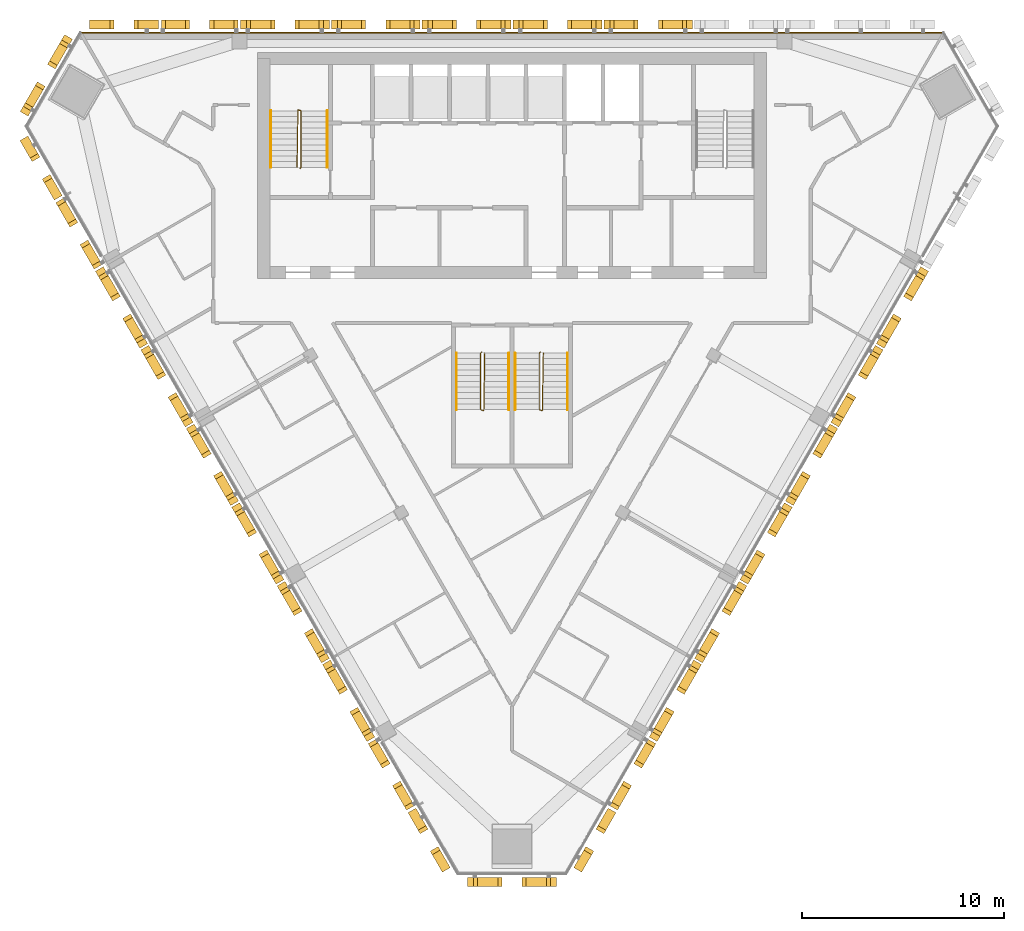
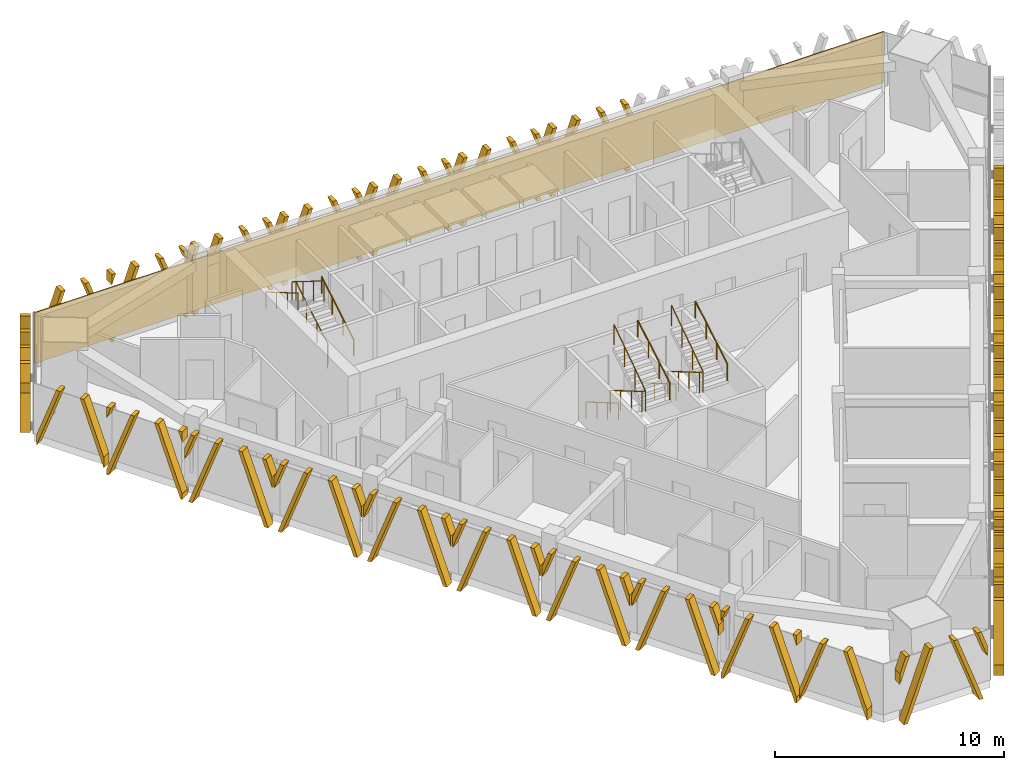
# One storey, part 12 of 14: 27 shading devices, 9 railings, 1 covering.
"""IFC4 building model written with IfcOpenShell, lengths in metres."""

from ifc_helpers import new_model, si_unit, direction, frame, frame_2d, origin, origin_2d, place, context, subcontext, project, spatial, polyline, rectangle, circle, outline, extrude, source, transform, mapped, material, layer, layer_set, type_object, element, save


model = new_model("IFC4")

# Units and contexts
model_context = context("Model", 3, precision=1e-05, world=origin(), true_north=direction((0.0, 1.0)))
body_context = subcontext(model_context, "Body", "Model", "MODEL_VIEW")
ifc_project = project(units=[si_unit("LENGTHUNIT", "METRE"), si_unit("AREAUNIT", "SQUARE_METRE"), si_unit("VOLUMEUNIT", "CUBIC_METRE"), si_unit("PLANEANGLEUNIT", "RADIAN"), si_unit("MASSUNIT", "GRAM", prefix="KILO")], contexts=[model_context])

# Site, building, storey
site_placement = place(None, origin())
site = spatial("IfcSite", under=ifc_project, at=site_placement, CompositionType="ELEMENT")
building_placement = place(site_placement, origin())
building = spatial("IfcBuilding", under=site, at=building_placement, Name="Altiplano Prism Tower", CompositionType="ELEMENT")
storey_placement = place(building_placement, frame((0.0, 0.0, 242.800048828125)))
storey = spatial("IfcBuildingStorey", under=building, at=storey_placement, Name="L62", CompositionType="ELEMENT", Elevation=242.800048828125)

# Railings
ifc_material_1 = material(Name="Steel S355", Category="steel")
railing_type_1 = type_object("IfcRailingType", Name="Stair guard 1100", PredefinedType="GUARDRAIL", material=ifc_material_1)
railing_1_placement = place(storey_placement, frame((74.5, 98.25, 0.0)))
element("IfcRailing", 1, at=railing_1_placement, inside=storey, type_object=railing_type_1, Name="L62 ST1 stair guard 1", PredefinedType="GUARDRAIL", context=body_context, shape_type="SweptSolid", body=[
    extrude(circle(Radius=0.02392578125, at=origin_2d()), frame((0.0, 0.0, 1.076171875), z_axis=(0.280808744504, 0.280808744504, 0.917765164963), x_axis=(-0.707106781187, 0.707106781187, 0.0)), (0.0, 0.0, 1.0), 0.17822265625),
    extrude(circle(Radius=0.02392578125, at=origin_2d()), frame((0.050048828125, 0.050048828125, 1.23974609375), z_axis=(0.0, 0.863360870873, 0.504586966384), x_axis=(-1.0, 0.0, 0.0)), (0.0, 0.0, 1.0), 3.2431640625),
    extrude(circle(Radius=0.02392578125, at=origin_2d()), frame((0.050048828125, 2.85009765625, 2.8759765625), z_axis=(-0.949145278916, 0.314838433982, 0.0), x_axis=(-0.314838433982, -0.949145278916, 0.0)), (0.0, 0.0, 1.0), 0.158203125),
    extrude(circle(Radius=0.02392578125, at=origin_2d()), frame((-0.10009765625, 2.89990234375, 2.8759765625), z_axis=(-0.014774583964, -0.845410385345, 0.533912906773), x_axis=(0.999847325713, -0.01747355902, 0.0)), (0.0, 0.0, 1.0), 3.370849609375),
    extrude(circle(Radius=0.02099609375, at=origin_2d()), origin(), (0.0, 0.0, 1.0), 1.052001953125),
    extrude(circle(Radius=0.02099609375, at=origin_2d()), frame((0.050048828125, 0.050048828125, 0.16357421875)), (0.0, 0.0, 1.0), 1.052001953125),
    extrude(circle(Radius=0.02099609375, at=origin_2d()), frame((0.050048828125, 0.9833984375, 0.708984375)), (0.0, 0.0, 1.0), 1.052001953125),
    extrude(circle(Radius=0.02099609375, at=origin_2d()), frame((0.050048828125, 1.916748046875, 1.254638671875)), (0.0, 0.0, 1.0), 1.052001953125),
    extrude(circle(Radius=0.02099609375, at=origin_2d()), frame((0.050048828125, 2.85009765625, 1.800048828125)), (0.0, 0.0, 1.0), 1.052001953125),
    extrude(circle(Radius=0.02099609375, at=origin_2d()), frame((-0.10009765625, 2.89990234375, 1.800048828125)), (0.0, 0.0, 1.0), 1.052001953125),
    extrude(circle(Radius=0.02099609375, at=origin_2d()), frame((-0.11669921875, 1.949951171875, 2.39990234375)), (0.0, 0.0, 1.0), 1.052001953125),
    extrude(circle(Radius=0.02099609375, at=origin_2d()), frame((-0.13330078125, 1.0, 3.0)), (0.0, 0.0, 1.0), 1.052001953125),
    extrude(circle(Radius=0.02099609375, at=origin_2d()), frame((-0.14990234375, 0.050048828125, 3.599853515625)), (0.0, 0.0, 1.0), 1.052001953125),
])
railing_2_placement = place(storey_placement, frame((83.5, 89.14990234375, 0.0)))
element("IfcRailing", 2, at=railing_2_placement, inside=storey, type_object=railing_type_1, Name="L62 ST3A stair guard 1", PredefinedType="GUARDRAIL", context=body_context, shape_type="SweptSolid", body=[
    extrude(circle(Radius=0.02392578125, at=origin_2d()), frame((0.0, 0.0, 1.076171875), z_axis=(-0.280916556609, -0.279546231943, 0.91811752648), x_axis=(0.705375805398, -0.708833529934, 0.0)), (0.0, 0.0, 1.0), 0.17822265625),
    extrude(circle(Radius=0.02392578125, at=origin_2d()), frame((-0.050048828125, -0.0498046875, 1.23974609375), z_axis=(0.0, -0.863360870873, 0.504586966384), x_axis=(1.0, 0.0, 0.0)), (0.0, 0.0, 1.0), 3.2431640625),
    extrude(circle(Radius=0.02392578125, at=origin_2d()), frame((-0.050048828125, -2.849853515625, 2.8759765625), z_axis=(0.948683298051, -0.316227766017, 0.0), x_axis=(0.316227766017, 0.948683298051, 0.0)), (0.0, 0.0, 1.0), 0.158203125),
    extrude(circle(Radius=0.02392578125, at=origin_2d()), frame((0.10009765625, -2.89990234375, 2.8759765625), z_axis=(0.014773679385, 0.845431044782, 0.53388021776), x_axis=(-0.999847351862, 0.017472062685, 0.0)), (0.0, 0.0, 1.0), 3.37109375),
    extrude(circle(Radius=0.02099609375, at=origin_2d()), origin(), (0.0, 0.0, 1.0), 1.052001953125),
    extrude(circle(Radius=0.02099609375, at=origin_2d()), frame((-0.050048828125, -0.0498046875, 0.16357421875)), (0.0, 0.0, 1.0), 1.052001953125),
    extrude(circle(Radius=0.02099609375, at=origin_2d()), frame((-0.050048828125, -0.983154296875, 0.708984375)), (0.0, 0.0, 1.0), 1.052001953125),
    extrude(circle(Radius=0.02099609375, at=origin_2d()), frame((-0.050048828125, -1.91650390625, 1.254638671875)), (0.0, 0.0, 1.0), 1.052001953125),
    extrude(circle(Radius=0.02099609375, at=origin_2d()), frame((-0.050048828125, -2.849853515625, 1.800048828125)), (0.0, 0.0, 1.0), 1.052001953125),
    extrude(circle(Radius=0.02099609375, at=origin_2d()), frame((0.10009765625, -2.89990234375, 1.800048828125)), (0.0, 0.0, 1.0), 1.052001953125),
    extrude(circle(Radius=0.02099609375, at=origin_2d()), frame((0.11669921875, -1.949951171875, 2.39990234375)), (0.0, 0.0, 1.0), 1.052001953125),
    extrude(circle(Radius=0.02099609375, at=origin_2d()), frame((0.13330078125, -0.999755859375, 3.0)), (0.0, 0.0, 1.0), 1.052001953125),
    extrude(circle(Radius=0.02099609375, at=origin_2d()), frame((0.14990234375, -0.0498046875, 3.599853515625)), (0.0, 0.0, 1.0), 1.052001953125),
])
railing_3_placement = place(storey_placement, frame((86.39990234375, 89.14990234375, 0.0)))
element("IfcRailing", 3, at=railing_3_placement, inside=storey, type_object=railing_type_1, Name="L62 ST3B stair guard 1", PredefinedType="GUARDRAIL", context=body_context, shape_type="SweptSolid", body=[
    extrude(circle(Radius=0.02392578125, at=origin_2d()), frame((0.0, 0.0, 1.076171875), z_axis=(-0.279653641804, -0.279653641804, 0.918470294159), x_axis=(0.707106781187, -0.707106781187, 0.0)), (0.0, 0.0, 1.0), 0.177978515625),
    extrude(circle(Radius=0.02392578125, at=origin_2d()), frame((-0.0498046875, -0.0498046875, 1.23974609375), z_axis=(0.0, -0.863360870873, 0.504586966384), x_axis=(1.0, 0.0, 0.0)), (0.0, 0.0, 1.0), 3.2431640625),
    extrude(circle(Radius=0.02392578125, at=origin_2d()), frame((-0.0498046875, -2.849853515625, 2.8759765625), z_axis=(0.948528701346, -0.316691178788, 0.0), x_axis=(0.316691178788, 0.948528701346, 0.0)), (0.0, 0.0, 1.0), 0.157958984375),
    extrude(circle(Radius=0.02392578125, at=origin_2d()), frame((0.10009765625, -2.89990234375, 2.8759765625), z_axis=(0.014846083459, 0.845430138032, 0.533879645158), x_axis=(-0.999845851991, 0.017557683712, 0.0)), (0.0, 0.0, 1.0), 3.37109375),
    extrude(circle(Radius=0.02099609375, at=origin_2d()), origin(), (0.0, 0.0, 1.0), 1.052001953125),
    extrude(circle(Radius=0.02099609375, at=origin_2d()), frame((-0.0498046875, -0.0498046875, 0.16357421875)), (0.0, 0.0, 1.0), 1.052001953125),
    extrude(circle(Radius=0.02099609375, at=origin_2d()), frame((-0.0498046875, -0.983154296875, 0.708984375)), (0.0, 0.0, 1.0), 1.052001953125),
    extrude(circle(Radius=0.02099609375, at=origin_2d()), frame((-0.0498046875, -1.91650390625, 1.254638671875)), (0.0, 0.0, 1.0), 1.052001953125),
    extrude(circle(Radius=0.02099609375, at=origin_2d()), frame((-0.0498046875, -2.849853515625, 1.800048828125)), (0.0, 0.0, 1.0), 1.052001953125),
    extrude(circle(Radius=0.02099609375, at=origin_2d()), frame((0.10009765625, -2.89990234375, 1.800048828125)), (0.0, 0.0, 1.0), 1.052001953125),
    extrude(circle(Radius=0.02099609375, at=origin_2d()), frame((0.11669921875, -1.949951171875, 2.39990234375)), (0.0, 0.0, 1.0), 1.052001953125),
    extrude(circle(Radius=0.02099609375, at=origin_2d()), frame((0.133544921875, -0.999755859375, 3.0)), (0.0, 0.0, 1.0), 1.052001953125),
    extrude(circle(Radius=0.02099609375, at=origin_2d()), frame((0.150146484375, -0.0498046875, 3.599853515625)), (0.0, 0.0, 1.0), 1.052001953125),
])
railing_type_2 = type_object("IfcRailingType", Name="Stair handrail 900", PredefinedType="HANDRAIL", material=ifc_material_1)
railing_4_placement = place(storey_placement, frame((75.85009765625, 98.300048828125, 0.16357421875)))
element("IfcRailing", 4, at=railing_4_placement, inside=storey, type_object=railing_type_2, Name="L62 ST1 stair handrail 1", PredefinedType="HANDRAIL", context=body_context, shape_type="SweptSolid", body=[
    extrude(circle(Radius=0.02392578125, at=origin_2d()), frame((0.0, 0.0, 0.8759765625), z_axis=(0.0, 0.863360870873, 0.504586966384), x_axis=(-1.0, 0.0, 0.0)), (0.0, 0.0, 1.0), 3.2431640625),
    extrude(circle(Radius=0.02099609375, at=origin_2d()), origin(), (0.0, 0.0, 1.0), 0.851806640625),
    extrude(circle(Radius=0.02099609375, at=origin_2d()), frame((0.0, 0.933349609375, 0.54541015625)), (0.0, 0.0, 1.0), 0.851806640625),
    extrude(circle(Radius=0.02099609375, at=origin_2d()), frame((0.0, 1.86669921875, 1.091064453125)), (0.0, 0.0, 1.0), 0.851806640625),
    extrude(circle(Radius=0.02099609375, at=origin_2d()), frame((0.0, 2.800048828125, 1.636474609375)), (0.0, 0.0, 1.0), 0.851806640625),
])
railing_5_placement = place(storey_placement, frame((73.050048828125, 101.10009765625, 1.963623046875)))
element("IfcRailing", 5, at=railing_5_placement, inside=storey, type_object=railing_type_2, Name="L62 ST1 stair handrail 2", PredefinedType="HANDRAIL", context=body_context, shape_type="SweptSolid", body=[
    extrude(circle(Radius=0.02392578125, at=origin_2d()), frame((0.0, 0.0, 0.8759765625), z_axis=(0.0, -0.863393664356, 0.504530851732), x_axis=(1.0, 0.0, 0.0)), (0.0, 0.0, 1.0), 3.2431640625),
    extrude(circle(Radius=0.02099609375, at=origin_2d()), origin(), (0.0, 0.0, 1.0), 0.851806640625),
    extrude(circle(Radius=0.02099609375, at=origin_2d()), frame((0.0, -0.933349609375, 0.54541015625)), (0.0, 0.0, 1.0), 0.851806640625),
    extrude(circle(Radius=0.02099609375, at=origin_2d()), frame((0.0, -1.86669921875, 1.0908203125)), (0.0, 0.0, 1.0), 0.851806640625),
    extrude(circle(Radius=0.02099609375, at=origin_2d()), frame((0.0, -2.800048828125, 1.63623046875)), (0.0, 0.0, 1.0), 0.851806640625),
])
railing_6_placement = place(storey_placement, frame((82.25, 89.10009765625, 0.16357421875)))
element("IfcRailing", 6, at=railing_6_placement, inside=storey, type_object=railing_type_2, Name="L62 ST3A stair handrail 1", PredefinedType="HANDRAIL", context=body_context, shape_type="SweptSolid", body=[
    extrude(circle(Radius=0.02392578125, at=origin_2d()), frame((0.0, 0.0, 0.8759765625), z_axis=(0.0, -0.863360870873, 0.504586966384), x_axis=(1.0, 0.0, 0.0)), (0.0, 0.0, 1.0), 3.2431640625),
    extrude(circle(Radius=0.02099609375, at=origin_2d()), origin(), (0.0, 0.0, 1.0), 0.851806640625),
    extrude(circle(Radius=0.02099609375, at=origin_2d()), frame((0.0, -0.933349609375, 0.54541015625)), (0.0, 0.0, 1.0), 0.851806640625),
    extrude(circle(Radius=0.02099609375, at=origin_2d()), frame((0.0, -1.86669921875, 1.091064453125)), (0.0, 0.0, 1.0), 0.851806640625),
    extrude(circle(Radius=0.02099609375, at=origin_2d()), frame((0.0, -2.800048828125, 1.636474609375)), (0.0, 0.0, 1.0), 0.851806640625),
])
railing_7_placement = place(storey_placement, frame((84.85009765625, 86.300048828125, 1.963623046875)))
element("IfcRailing", 7, at=railing_7_placement, inside=storey, type_object=railing_type_2, Name="L62 ST3A stair handrail 2", PredefinedType="HANDRAIL", context=body_context, shape_type="SweptSolid", body=[
    extrude(circle(Radius=0.02392578125, at=origin_2d()), frame((0.0, 0.0, 0.8759765625), z_axis=(0.0, 0.863393664356, 0.504530851732), x_axis=(-1.0, 0.0, 0.0)), (0.0, 0.0, 1.0), 3.2431640625),
    extrude(circle(Radius=0.02099609375, at=origin_2d()), origin(), (0.0, 0.0, 1.0), 0.851806640625),
    extrude(circle(Radius=0.02099609375, at=origin_2d()), frame((0.0, 0.933349609375, 0.54541015625)), (0.0, 0.0, 1.0), 0.851806640625),
    extrude(circle(Radius=0.02099609375, at=origin_2d()), frame((0.0, 1.86669921875, 1.0908203125)), (0.0, 0.0, 1.0), 0.851806640625),
    extrude(circle(Radius=0.02099609375, at=origin_2d()), frame((0.0, 2.800048828125, 1.63623046875)), (0.0, 0.0, 1.0), 0.851806640625),
])
railing_8_placement = place(storey_placement, frame((85.14990234375, 89.10009765625, 0.16357421875)))
element("IfcRailing", 8, at=railing_8_placement, inside=storey, type_object=railing_type_2, Name="L62 ST3B stair handrail 1", PredefinedType="HANDRAIL", context=body_context, shape_type="SweptSolid", body=[
    extrude(circle(Radius=0.02392578125, at=origin_2d()), frame((0.0, 0.0, 0.8759765625), z_axis=(0.0, -0.863360870873, 0.504586966384), x_axis=(1.0, 0.0, 0.0)), (0.0, 0.0, 1.0), 3.2431640625),
    extrude(circle(Radius=0.02099609375, at=origin_2d()), origin(), (0.0, 0.0, 1.0), 0.851806640625),
    extrude(circle(Radius=0.02099609375, at=origin_2d()), frame((0.0, -0.933349609375, 0.54541015625)), (0.0, 0.0, 1.0), 0.851806640625),
    extrude(circle(Radius=0.02099609375, at=origin_2d()), frame((0.0, -1.86669921875, 1.091064453125)), (0.0, 0.0, 1.0), 0.851806640625),
    extrude(circle(Radius=0.02099609375, at=origin_2d()), frame((0.0, -2.800048828125, 1.636474609375)), (0.0, 0.0, 1.0), 0.851806640625),
])
railing_9_placement = place(storey_placement, frame((87.75, 86.300048828125, 1.963623046875)))
element("IfcRailing", 9, at=railing_9_placement, inside=storey, type_object=railing_type_2, Name="L62 ST3B stair handrail 2", PredefinedType="HANDRAIL", context=body_context, shape_type="SweptSolid", body=[
    extrude(circle(Radius=0.02392578125, at=origin_2d()), frame((0.0, 0.0, 0.8759765625), z_axis=(0.0, 0.863393664356, 0.504530851732), x_axis=(-1.0, 0.0, 0.0)), (0.0, 0.0, 1.0), 3.2431640625),
    extrude(circle(Radius=0.02099609375, at=origin_2d()), origin(), (0.0, 0.0, 1.0), 0.851806640625),
    extrude(circle(Radius=0.02099609375, at=origin_2d()), frame((0.0, 0.933349609375, 0.54541015625)), (0.0, 0.0, 1.0), 0.851806640625),
    extrude(circle(Radius=0.02099609375, at=origin_2d()), frame((0.0, 1.86669921875, 1.0908203125)), (0.0, 0.0, 1.0), 0.851806640625),
    extrude(circle(Radius=0.02099609375, at=origin_2d()), frame((0.0, 2.800048828125, 1.63623046875)), (0.0, 0.0, 1.0), 0.851806640625),
])

# Covering
ifc_material_2 = material(Name="Warm limestone cast stone", Category="masonry")
ifc_layer = layer(ifc_material_2, 0.06005859375)
ifc_layer_set = layer_set([ifc_layer], Name="Warm limestone cast stone")
covering_type = type_object("IfcCoveringType", Name="Stone cladding 60", PredefinedType="CLADDING", material=ifc_layer_set)
covering_placement = place(storey_placement, frame((63.602783203125, 104.969970703125, 0.0), z_axis=(0.0, 0.0, 1.0), x_axis=(1.0, 0.0, 0.0)))
element("IfcCovering", 10, at=covering_placement, inside=storey, type_object=covering_type, Name="Stone cladding north face L62", PredefinedType="CLADDING", context=body_context, shape_type="SweptSolid", body=[
    extrude(rectangle(XDim=42.79443359375, YDim=0.06005859375, at=frame_2d((21.397216796875, 0.0))), origin(), (0.0, 0.0, 1.0), 2.699951171875),
])

# Shading devices
shading_device_type_1 = type_object("IfcShadingDeviceType", Name="Stone fin panel, standard unit", PredefinedType="USERDEFINED", material=ifc_material_2)
shared_shape_1 = source(origin(), body_context, "Body", "SweptSolid", [
    extrude(outline(polyline([(-2.199951171875, 2.226318359375), (-1.699951171875, 3.60009765625), (-1.89990234375, 3.60009765625), (-2.199951171875, 2.77587890625), (-2.199951171875, 2.226318359375)])), frame((0.0, -0.14990234375, 0.0), z_axis=(0.0, -1.0, 0.0), x_axis=(1.0, 0.0, 0.0)), (0.0, 0.0, 1.0), 0.4501953125),
    extrude(outline(polyline([(-2.01025390625, 0.0), (-1.810302734375, 0.0), (-0.5, 3.60009765625), (-0.699951171875, 3.60009765625), (-2.01025390625, 0.0)])), frame((0.0, -0.14990234375, 0.0), z_axis=(0.0, -1.0, 0.0), x_axis=(1.0, 0.0, 0.0)), (0.0, 0.0, 1.0), 0.4501953125),
    extrude(outline(polyline([(1.810302734375, 0.0), (2.01025390625, 0.0), (0.699951171875, 3.60009765625), (0.5, 3.60009765625), (1.810302734375, 0.0)])), frame((0.0, -0.14990234375, 0.0), z_axis=(0.0, -1.0, 0.0), x_axis=(1.0, 0.0, 0.0)), (0.0, 0.0, 1.0), 0.4501953125),
    extrude(outline(polyline([(2.199951171875, 2.77587890625), (1.89990234375, 3.60009765625), (1.699951171875, 3.60009765625), (2.199951171875, 2.226318359375), (2.199951171875, 2.77587890625)])), frame((0.0, -0.14990234375, 0.0), z_axis=(0.0, -1.0, 0.0), x_axis=(1.0, 0.0, 0.0)), (0.0, 0.0, 1.0), 0.4501953125),
])
shading_device_1_placement = place(storey_placement, origin())
element("IfcShadingDevice", 11, at=shading_device_1_placement, inside=storey, type_object=shading_device_type_1, Name="Fin L62 north face 4", ObjectType="FIN", PredefinedType="USERDEFINED", context=body_context, shape_type="MappedRepresentation", body=[
    mapped(shared_shape_1, transform((91.75, 105.0, -0.400146484375), x_axis=(-1.0, 0.0, 0.0), y_axis=(0.0, -1.0, 0.0), z_axis=(0.0, 0.0, 1.0))),
])
shading_device_2_placement = place(storey_placement, origin())
element("IfcShadingDevice", 12, at=shading_device_2_placement, inside=storey, type_object=shading_device_type_1, Name="Fin L62 north face 5", ObjectType="FIN", PredefinedType="USERDEFINED", context=body_context, shape_type="MappedRepresentation", body=[
    mapped(shared_shape_1, transform((87.25, 105.0, -0.400146484375), x_axis=(-1.0, 0.0, 0.0), y_axis=(0.0, -1.0, 0.0), z_axis=(0.0, 0.0, 1.0))),
])
shading_device_3_placement = place(storey_placement, origin())
element("IfcShadingDevice", 13, at=shading_device_3_placement, inside=storey, type_object=shading_device_type_1, Name="Fin L62 north face 6", ObjectType="FIN", PredefinedType="USERDEFINED", context=body_context, shape_type="MappedRepresentation", body=[
    mapped(shared_shape_1, transform((82.75, 105.0, -0.400146484375), x_axis=(-1.0, 0.0, 0.0), y_axis=(0.0, -1.0, 0.0), z_axis=(0.0, 0.0, 1.0))),
])
shading_device_4_placement = place(storey_placement, origin())
element("IfcShadingDevice", 14, at=shading_device_4_placement, inside=storey, type_object=shading_device_type_1, Name="Fin L62 north face 7", ObjectType="FIN", PredefinedType="USERDEFINED", context=body_context, shape_type="MappedRepresentation", body=[
    mapped(shared_shape_1, transform((78.25, 105.0, -0.400146484375), x_axis=(-1.0, 0.0, 0.0), y_axis=(0.0, -1.0, 0.0), z_axis=(0.0, 0.0, 1.0))),
])
shading_device_5_placement = place(storey_placement, origin())
element("IfcShadingDevice", 15, at=shading_device_5_placement, inside=storey, type_object=shading_device_type_1, Name="Fin L62 north face 8", ObjectType="FIN", PredefinedType="USERDEFINED", context=body_context, shape_type="MappedRepresentation", body=[
    mapped(shared_shape_1, transform((73.75, 105.0, -0.400146484375), x_axis=(-1.0, 0.0, 0.0), y_axis=(0.0, -1.0, 0.0), z_axis=(0.0, 0.0, 1.0))),
])
shading_device_type_2 = type_object("IfcShadingDeviceType", Name="Stone fin panel, chamfer unit", PredefinedType="USERDEFINED", material=ifc_material_2)
shading_device_6_placement = place(storey_placement, origin())
element("IfcShadingDevice", 16, at=shading_device_6_placement, inside=storey, type_object=shading_device_type_2, Name="Fin L62 north-west chamfer 1", ObjectType="FIN", PredefinedType="USERDEFINED", context=body_context, shape_type="MappedRepresentation", body=[
    mapped(shared_shape_1, transform((62.25634765625, 102.667724609375, -0.400146484375), x_axis=(-0.500000014304, -0.866025395526, 0.0), y_axis=(0.866025395526, -0.500000014304, 0.0), z_axis=(0.0, 0.0, 1.0))),
])
shading_device_7_placement = place(storey_placement, origin())
element("IfcShadingDevice", 17, at=shading_device_7_placement, inside=storey, type_object=shading_device_type_1, Name="Fin L62 south-west face 3", ObjectType="FIN", PredefinedType="USERDEFINED", context=body_context, shape_type="MappedRepresentation", body=[
    mapped(shared_shape_1, transform((65.9833984375, 91.5478515625, -0.400146484375), x_axis=(0.500000003773, -0.866025401606, 0.0), y_axis=(0.866025401606, 0.500000003773, 0.0), z_axis=(0.0, 0.0, 1.0))),
])
shading_device_8_placement = place(storey_placement, origin())
element("IfcShadingDevice", 18, at=shading_device_8_placement, inside=storey, type_object=shading_device_type_1, Name="Fin L62 south-west face 4", ObjectType="FIN", PredefinedType="USERDEFINED", context=body_context, shape_type="MappedRepresentation", body=[
    mapped(shared_shape_1, transform((68.2333984375, 87.650634765625, -0.400146484375), x_axis=(0.500000003773, -0.866025401606, 0.0), y_axis=(0.866025401606, 0.500000003773, 0.0), z_axis=(0.0, 0.0, 1.0))),
])
shading_device_9_placement = place(storey_placement, origin())
element("IfcShadingDevice", 19, at=shading_device_9_placement, inside=storey, type_object=shading_device_type_1, Name="Fin L62 south-west face 5", ObjectType="FIN", PredefinedType="USERDEFINED", context=body_context, shape_type="MappedRepresentation", body=[
    mapped(shared_shape_1, transform((70.4833984375, 83.753662109375, -0.400146484375), x_axis=(0.500000003773, -0.866025401606, 0.0), y_axis=(0.866025401606, 0.500000003773, 0.0), z_axis=(0.0, 0.0, 1.0))),
])
shading_device_10_placement = place(storey_placement, origin())
element("IfcShadingDevice", 20, at=shading_device_10_placement, inside=storey, type_object=shading_device_type_1, Name="Fin L62 south-west face 6", ObjectType="FIN", PredefinedType="USERDEFINED", context=body_context, shape_type="MappedRepresentation", body=[
    mapped(shared_shape_1, transform((72.7333984375, 79.8564453125, -0.400146484375), x_axis=(0.500000003773, -0.866025401606, 0.0), y_axis=(0.866025401606, 0.500000003773, 0.0), z_axis=(0.0, 0.0, 1.0))),
])
shading_device_11_placement = place(storey_placement, origin())
element("IfcShadingDevice", 21, at=shading_device_11_placement, inside=storey, type_object=shading_device_type_1, Name="Fin L62 south-west face 7", ObjectType="FIN", PredefinedType="USERDEFINED", context=body_context, shape_type="MappedRepresentation", body=[
    mapped(shared_shape_1, transform((74.9833984375, 75.95947265625, -0.400146484375), x_axis=(0.500000003773, -0.866025401606, 0.0), y_axis=(0.866025401606, 0.500000003773, 0.0), z_axis=(0.0, 0.0, 1.0))),
])
shading_device_12_placement = place(storey_placement, origin())
element("IfcShadingDevice", 22, at=shading_device_12_placement, inside=storey, type_object=shading_device_type_1, Name="Fin L62 south-west face 8", ObjectType="FIN", PredefinedType="USERDEFINED", context=body_context, shape_type="MappedRepresentation", body=[
    mapped(shared_shape_1, transform((77.2333984375, 72.062255859375, -0.400146484375), x_axis=(0.500000003773, -0.866025401606, 0.0), y_axis=(0.866025401606, 0.500000003773, 0.0), z_axis=(0.0, 0.0, 1.0))),
])
shading_device_13_placement = place(storey_placement, origin())
element("IfcShadingDevice", 23, at=shading_device_13_placement, inside=storey, type_object=shading_device_type_2, Name="Fin L62 south chamfer 1", ObjectType="FIN", PredefinedType="USERDEFINED", context=body_context, shape_type="MappedRepresentation", body=[
    mapped(shared_shape_1, transform((85.0, 63.274658203125, -0.400146484375), x_axis=(1.0, 0.0, 0.0), y_axis=(0.0, 1.0, 0.0), z_axis=(0.0, 0.0, 1.0))),
])
shading_device_14_placement = place(storey_placement, origin())
element("IfcShadingDevice", 24, at=shading_device_14_placement, inside=storey, type_object=shading_device_type_1, Name="Fin L62 south-east face 3", ObjectType="FIN", PredefinedType="USERDEFINED", context=body_context, shape_type="MappedRepresentation", body=[
    mapped(shared_shape_1, transform((92.7666015625, 72.062255859375, -0.400146484375), x_axis=(0.500000003773, 0.866025401606, 0.0), y_axis=(-0.866025401606, 0.500000003773, 0.0), z_axis=(0.0, 0.0, 1.0))),
])
shading_device_15_placement = place(storey_placement, origin())
element("IfcShadingDevice", 25, at=shading_device_15_placement, inside=storey, type_object=shading_device_type_1, Name="Fin L62 south-east face 4", ObjectType="FIN", PredefinedType="USERDEFINED", context=body_context, shape_type="MappedRepresentation", body=[
    mapped(shared_shape_1, transform((95.0166015625, 75.95947265625, -0.400146484375), x_axis=(0.500000003773, 0.866025401606, 0.0), y_axis=(-0.866025401606, 0.500000003773, 0.0), z_axis=(0.0, 0.0, 1.0))),
])
shading_device_16_placement = place(storey_placement, origin())
element("IfcShadingDevice", 26, at=shading_device_16_placement, inside=storey, type_object=shading_device_type_1, Name="Fin L62 south-east face 5", ObjectType="FIN", PredefinedType="USERDEFINED", context=body_context, shape_type="MappedRepresentation", body=[
    mapped(shared_shape_1, transform((97.2666015625, 79.8564453125, -0.400146484375), x_axis=(0.500000003773, 0.866025401606, 0.0), y_axis=(-0.866025401606, 0.500000003773, 0.0), z_axis=(0.0, 0.0, 1.0))),
])
shading_device_17_placement = place(storey_placement, origin())
element("IfcShadingDevice", 27, at=shading_device_17_placement, inside=storey, type_object=shading_device_type_1, Name="Fin L62 south-east face 6", ObjectType="FIN", PredefinedType="USERDEFINED", context=body_context, shape_type="MappedRepresentation", body=[
    mapped(shared_shape_1, transform((99.5166015625, 83.753662109375, -0.400146484375), x_axis=(0.500000003773, 0.866025401606, 0.0), y_axis=(-0.866025401606, 0.500000003773, 0.0), z_axis=(0.0, 0.0, 1.0))),
])
shading_device_18_placement = place(storey_placement, origin())
element("IfcShadingDevice", 28, at=shading_device_18_placement, inside=storey, type_object=shading_device_type_1, Name="Fin L62 south-east face 7", ObjectType="FIN", PredefinedType="USERDEFINED", context=body_context, shape_type="MappedRepresentation", body=[
    mapped(shared_shape_1, transform((101.7666015625, 87.650634765625, -0.400146484375), x_axis=(0.500000003773, 0.866025401606, 0.0), y_axis=(-0.866025401606, 0.500000003773, 0.0), z_axis=(0.0, 0.0, 1.0))),
])
shading_device_19_placement = place(storey_placement, origin())
element("IfcShadingDevice", 29, at=shading_device_19_placement, inside=storey, type_object=shading_device_type_1, Name="Fin L62 south-east face 8", ObjectType="FIN", PredefinedType="USERDEFINED", context=body_context, shape_type="MappedRepresentation", body=[
    mapped(shared_shape_1, transform((104.0166015625, 91.5478515625, -0.400146484375), x_axis=(0.500000003773, 0.866025401606, 0.0), y_axis=(-0.866025401606, 0.500000003773, 0.0), z_axis=(0.0, 0.0, 1.0))),
])
shading_device_type_3 = type_object("IfcShadingDeviceType", Name="Stone fin panel, narrow closing bay", PredefinedType="USERDEFINED", material=ifc_material_2)
shared_shape_2 = source(origin(), body_context, "Body", "SweptSolid", [
    extrude(outline(polyline([(-1.699951171875, 0.302978515625), (-0.5, 3.60009765625), (-0.699951171875, 3.60009765625), (-1.699951171875, 0.8525390625), (-1.699951171875, 0.302978515625)])), frame((0.0, -0.14990234375, 0.0), z_axis=(0.0, -1.0, 0.0), x_axis=(1.0, 0.0, 0.0)), (0.0, 0.0, 1.0), 0.4501953125),
    extrude(outline(polyline([(1.699951171875, 0.8525390625), (0.699951171875, 3.60009765625), (0.5, 3.60009765625), (1.699951171875, 0.302978515625), (1.699951171875, 0.8525390625)])), frame((0.0, -0.14990234375, 0.0), z_axis=(0.0, -1.0, 0.0), x_axis=(1.0, 0.0, 0.0)), (0.0, 0.0, 1.0), 0.4501953125),
])
shading_device_20_placement = place(storey_placement, origin())
element("IfcShadingDevice", 30, at=shading_device_20_placement, inside=storey, type_object=shading_device_type_3, Name="Fin L62 north face 10", ObjectType="FIN", PredefinedType="USERDEFINED", context=body_context, shape_type="MappedRepresentation", body=[
    mapped(shared_shape_2, transform((65.777099609375, 105.0, -0.400146484375), x_axis=(-1.0, 0.0, 0.0), y_axis=(0.0, -1.0, 0.0), z_axis=(0.0, 0.0, 1.0))),
])
shading_device_21_placement = place(storey_placement, origin())
element("IfcShadingDevice", 31, at=shading_device_21_placement, inside=storey, type_object=shading_device_type_3, Name="Fin L62 south-west face 1", ObjectType="FIN", PredefinedType="USERDEFINED", context=body_context, shape_type="MappedRepresentation", body=[
    mapped(shared_shape_2, transform((61.9970703125, 98.45263671875, -0.400146484375), x_axis=(0.500000003773, -0.866025401606, 0.0), y_axis=(0.866025401606, 0.500000003773, 0.0), z_axis=(0.0, 0.0, 1.0))),
])
shading_device_22_placement = place(storey_placement, origin())
element("IfcShadingDevice", 32, at=shading_device_22_placement, inside=storey, type_object=shading_device_type_3, Name="Fin L62 south-west face 10", ObjectType="FIN", PredefinedType="USERDEFINED", context=body_context, shape_type="MappedRepresentation", body=[
    mapped(shared_shape_2, transform((81.2197265625, 65.15771484375, -0.400146484375), x_axis=(0.500000003773, -0.866025401606, 0.0), y_axis=(0.866025401606, 0.500000003773, 0.0), z_axis=(0.0, 0.0, 1.0))),
])
shading_device_23_placement = place(storey_placement, origin())
element("IfcShadingDevice", 33, at=shading_device_23_placement, inside=storey, type_object=shading_device_type_3, Name="Fin L62 south-east face 1", ObjectType="FIN", PredefinedType="USERDEFINED", context=body_context, shape_type="MappedRepresentation", body=[
    mapped(shared_shape_2, transform((88.7802734375, 65.15771484375, -0.400146484375), x_axis=(0.500000003773, 0.866025401606, 0.0), y_axis=(-0.866025401606, 0.500000003773, 0.0), z_axis=(0.0, 0.0, 1.0))),
])
shared_shape_3 = source(origin(), body_context, "Body", "SweptSolid", [
    extrude(outline(polyline([(-1.89990234375, 0.0), (-1.810302734375, 0.0), (-0.5, 3.60009765625), (-0.699951171875, 3.60009765625), (-1.89990234375, 0.302978515625), (-1.89990234375, 0.0)])), frame((0.0, -0.14990234375, 0.0), z_axis=(0.0, -1.0, 0.0), x_axis=(1.0, 0.0, 0.0)), (0.0, 0.0, 1.0), 0.4501953125),
    extrude(outline(polyline([(-1.89990234375, 3.050537109375), (-1.699951171875, 3.60009765625), (-1.89990234375, 3.60009765625), (-1.89990234375, 3.050537109375)])), frame((0.0, -0.14990234375, 0.0), z_axis=(0.0, -1.0, 0.0), x_axis=(1.0, 0.0, 0.0)), (0.0, 0.0, 1.0), 0.4501953125),
    extrude(outline(polyline([(1.810302734375, 0.0), (1.89990234375, 0.0), (1.89990234375, 0.302978515625), (0.699951171875, 3.60009765625), (0.5, 3.60009765625), (1.810302734375, 0.0)])), frame((0.0, -0.14990234375, 0.0), z_axis=(0.0, -1.0, 0.0), x_axis=(1.0, 0.0, 0.0)), (0.0, 0.0, 1.0), 0.4501953125),
    extrude(outline(polyline([(1.89990234375, 3.60009765625), (1.699951171875, 3.60009765625), (1.89990234375, 3.050537109375), (1.89990234375, 3.60009765625)])), frame((0.0, -0.14990234375, 0.0), z_axis=(0.0, -1.0, 0.0), x_axis=(1.0, 0.0, 0.0)), (0.0, 0.0, 1.0), 0.4501953125),
])
shading_device_24_placement = place(storey_placement, origin())
element("IfcShadingDevice", 34, at=shading_device_24_placement, inside=storey, type_object=shading_device_type_3, Name="Fin L62 north face 9", ObjectType="FIN", PredefinedType="USERDEFINED", context=body_context, shape_type="MappedRepresentation", body=[
    mapped(shared_shape_3, transform((69.525634765625, 105.0, -0.400146484375), x_axis=(-1.0, 0.0, 0.0), y_axis=(0.0, -1.0, 0.0), z_axis=(0.0, 0.0, 1.0))),
])
shading_device_25_placement = place(storey_placement, origin())
element("IfcShadingDevice", 35, at=shading_device_25_placement, inside=storey, type_object=shading_device_type_3, Name="Fin L62 south-west face 2", ObjectType="FIN", PredefinedType="USERDEFINED", context=body_context, shape_type="MappedRepresentation", body=[
    mapped(shared_shape_3, transform((63.871337890625, 95.206298828125, -0.400146484375), x_axis=(0.500000003773, -0.866025401606, 0.0), y_axis=(0.866025401606, 0.500000003773, 0.0), z_axis=(0.0, 0.0, 1.0))),
])
shading_device_26_placement = place(storey_placement, origin())
element("IfcShadingDevice", 36, at=shading_device_26_placement, inside=storey, type_object=shading_device_type_3, Name="Fin L62 south-west face 9", ObjectType="FIN", PredefinedType="USERDEFINED", context=body_context, shape_type="MappedRepresentation", body=[
    mapped(shared_shape_3, transform((79.345458984375, 68.404052734375, -0.400146484375), x_axis=(0.500000003773, -0.866025401606, 0.0), y_axis=(0.866025401606, 0.500000003773, 0.0), z_axis=(0.0, 0.0, 1.0))),
])
shading_device_27_placement = place(storey_placement, origin())
element("IfcShadingDevice", 37, at=shading_device_27_placement, inside=storey, type_object=shading_device_type_3, Name="Fin L62 south-east face 2", ObjectType="FIN", PredefinedType="USERDEFINED", context=body_context, shape_type="MappedRepresentation", body=[
    mapped(shared_shape_3, transform((90.654541015625, 68.404052734375, -0.400146484375), x_axis=(0.500000003773, 0.866025401606, 0.0), y_axis=(-0.866025401606, 0.500000003773, 0.0), z_axis=(0.0, 0.0, 1.0))),
])

save(model, "model.ifc")
